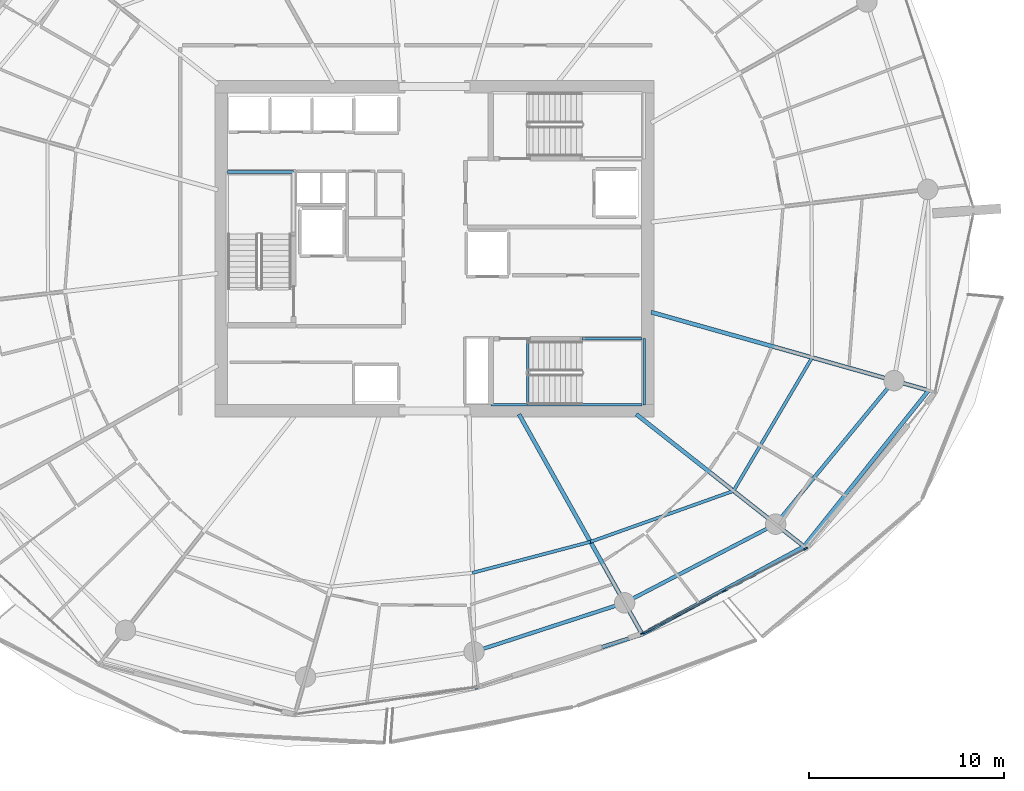
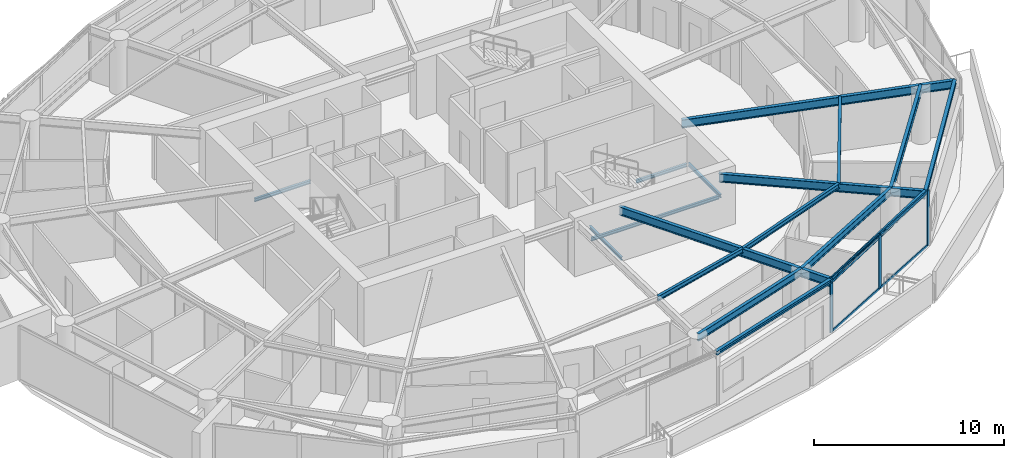
# One storey, part 6 of 21: 17 beams, 7 members, 1 element without a shape of its own.
"""IFC4 building model written with IfcOpenShell, lengths in metres."""

from ifc_helpers import new_model, si_unit, direction, frame, origin, origin_2d, place, context, subcontext, project, spatial, rectangle, i_section, extrude, material, layer, layer_set, material_profile, profile_set, type_object, element, aggregate, save


model = new_model("IFC4")

# Units and contexts
model_context = context("Model", 3, precision=1e-05, world=origin(), true_north=direction((0.0, 1.0)))
body_context = subcontext(model_context, "Body", "Model", "MODEL_VIEW")
ifc_project = project(units=[si_unit("LENGTHUNIT", "METRE"), si_unit("AREAUNIT", "SQUARE_METRE"), si_unit("VOLUMEUNIT", "CUBIC_METRE"), si_unit("PLANEANGLEUNIT", "RADIAN"), si_unit("MASSUNIT", "GRAM", prefix="KILO")], contexts=[model_context])

# Site, building, storey
site_placement = place(None, origin())
site = spatial("IfcSite", under=ifc_project, at=site_placement, CompositionType="ELEMENT")
building_placement = place(site_placement, origin())
building = spatial("IfcBuilding", under=site, at=building_placement, Name="Kazma Halo Residences", CompositionType="ELEMENT")
storey_placement = place(building_placement, frame((0.0, 0.0, 191.550048828125)))
storey = spatial("IfcBuildingStorey", under=building, at=storey_placement, Name="L48", CompositionType="ELEMENT", Elevation=191.550048828125)

# Beams
ifc_material_1 = material(Name="Steel S355", Category="steel")
ifc_material_profile_1 = material_profile(ifc_material_1, i_section(OverallWidth=0.201904296875, OverallDepth=0.2470703125, WebThickness=0.00732421875, FlangeThickness=0.010986328125, FilletRadius=0.011962890625, at=origin_2d()), Name="W250x49.1")
ifc_profile_set_1 = profile_set([ifc_material_profile_1], Name="Steel S355")
beam_type_1 = type_object("IfcBeamType", Name="BM-BAL-CANT", PredefinedType="BEAM", material=ifc_profile_set_1)
beam_1_placement = place(storey_placement, frame((50.48779296875, 19.45068359375, 3.37646484375), z_axis=(0.952538666424, 0.30441762263, 0.0), x_axis=(-0.30441762263, 0.952538666424, 0.0)))
element("IfcBeam", 1, at=beam_1_placement, inside=storey, type_object=beam_type_1, Name="L48 wave-balcony tie beam 12", PredefinedType="BEAM", context=body_context, shape_type="SweptSolid", body=[
    extrude(i_section(OverallWidth=0.201904296875, OverallDepth=0.2470703125, WebThickness=0.00732421875, FlangeThickness=0.010986328125, FilletRadius=0.011962890625, at=origin_2d()), origin(), (0.0, 0.0, 1.0), 9.029541015625),
])
beam_2_placement = place(storey_placement, frame((59.0888671875, 22.199462890625, 3.37646484375), z_axis=(0.878890557257, 0.477023467309, 0.0), x_axis=(-0.477023467309, 0.878890557257, 0.0)))
element("IfcBeam", 2, at=beam_2_placement, inside=storey, type_object=beam_type_1, Name="L48 wave-balcony tie beam 13", PredefinedType="BEAM", context=body_context, shape_type="SweptSolid", body=[
    extrude(i_section(OverallWidth=0.201904296875, OverallDepth=0.2470703125, WebThickness=0.00732421875, FlangeThickness=0.010986328125, FilletRadius=0.011962890625, at=origin_2d()), origin(), (0.0, 0.0, 1.0), 9.452880859375),
])
beam_3_placement = place(storey_placement, frame((67.39697265625, 26.708740234375, 3.37646484375), z_axis=(0.624195724924, 0.781268005864, 0.0), x_axis=(-0.781268005864, 0.624195724924, 0.0)))
element("IfcBeam", 3, at=beam_3_placement, inside=storey, type_object=beam_type_1, Name="L48 wave-balcony tie beam 14", PredefinedType="BEAM", context=body_context, shape_type="SweptSolid", body=[
    extrude(i_section(OverallWidth=0.201904296875, OverallDepth=0.2470703125, WebThickness=0.00732421875, FlangeThickness=0.010986328125, FilletRadius=0.011962890625, at=origin_2d()), origin(), (0.0, 0.0, 1.0), 10.258544921875),
])
ifc_material_profile_2 = material_profile(ifc_material_1, i_section(OverallWidth=0.208984375, OverallDepth=0.532958984375, WebThickness=0.01025390625, FlangeThickness=0.015625, FilletRadius=0.01611328125, at=origin_2d()), Name="W530x92")
ifc_profile_set_2 = profile_set([ifc_material_profile_2], Name="Steel S355")
beam_type_2 = type_object("IfcBeamType", Name="BM-RAD-W530", PredefinedType="BEAM", material=ifc_profile_set_2)
beam_4_placement = place(storey_placement, frame((52.76025390625, 33.5, 3.2333984375), z_axis=(0.488621736368, -0.872495729931, 0.0), x_axis=(0.872495729931, 0.488621736368, 0.0)))
element("IfcBeam", 4, at=beam_4_placement, inside=storey, type_object=beam_type_2, Name="L48 radial floor beam 13", PredefinedType="BEAM", context=body_context, shape_type="SweptSolid", body=[
    extrude(i_section(OverallWidth=0.208984375, OverallDepth=0.532958984375, WebThickness=0.01025390625, FlangeThickness=0.015625, FilletRadius=0.01611328125, at=origin_2d()), origin(), (0.0, 0.0, 1.0), 12.951904296875),
])
beam_5_placement = place(storey_placement, frame((58.7822265625, 33.5, 3.2333984375), z_axis=(0.785319521624, -0.619090662954, 0.0), x_axis=(0.619090662954, 0.785319521624, 0.0)))
element("IfcBeam", 5, at=beam_5_placement, inside=storey, type_object=beam_type_2, Name="L48 radial floor beam 14", PredefinedType="BEAM", context=body_context, shape_type="SweptSolid", body=[
    extrude(i_section(OverallWidth=0.208984375, OverallDepth=0.532958984375, WebThickness=0.01025390625, FlangeThickness=0.015625, FilletRadius=0.01611328125, at=origin_2d()), origin(), (0.0, 0.0, 1.0), 10.9697265625),
])
beam_6_placement = place(storey_placement, frame((59.550048828125, 38.74267578125, 3.2333984375), z_axis=(0.962449896911, -0.271459381741, 0.0), x_axis=(0.271459381741, 0.962449896911, 0.0)))
element("IfcBeam", 6, at=beam_6_placement, inside=storey, type_object=beam_type_2, Name="L48 radial floor beam 15", PredefinedType="BEAM", context=body_context, shape_type="SweptSolid", body=[
    extrude(i_section(OverallWidth=0.208984375, OverallDepth=0.532958984375, WebThickness=0.01025390625, FlangeThickness=0.015625, FilletRadius=0.01611328125, at=origin_2d()), origin(), (0.0, 0.0, 1.0), 14.80615234375),
])
ifc_material_profile_3 = material_profile(ifc_material_1, i_section(OverallWidth=0.1650390625, OverallDepth=0.31005859375, WebThickness=0.005859375, FlangeThickness=0.009765625, FilletRadius=0.011962890625, at=origin_2d()), Name="W310x38.7")
ifc_profile_set_3 = profile_set([ifc_material_profile_3], Name="Steel S355")
beam_type_3 = type_object("IfcBeamType", Name="BM-SEC-W310B", PredefinedType="JOIST", material=ifc_profile_set_3)
beam_7_placement = place(storey_placement, frame((50.366943359375, 25.3515625, 3.344970703125), z_axis=(0.967135034863, 0.254263297273, 0.0), x_axis=(-0.254263297273, 0.967135034863, 0.0)))
element("IfcBeam", 7, at=beam_7_placement, inside=storey, type_object=beam_type_3, Name="L48 circumferential floor joist 12", PredefinedType="JOIST", context=body_context, shape_type="SweptSolid", body=[
    extrude(i_section(OverallWidth=0.1650390625, OverallDepth=0.31005859375, WebThickness=0.005859375, FlangeThickness=0.009765625, FilletRadius=0.011962890625, at=origin_2d()), origin(), (0.0, 0.0, 1.0), 6.27001953125),
])
beam_8_placement = place(storey_placement, frame((56.430908203125, 26.94580078125, 3.344970703125), z_axis=(0.942107492186, 0.335311009612, 0.0), x_axis=(-0.335311009612, 0.942107492186, 0.0)))
element("IfcBeam", 8, at=beam_8_placement, inside=storey, type_object=beam_type_3, Name="L48 circumferential floor joist 13", PredefinedType="JOIST", context=body_context, shape_type="SweptSolid", body=[
    extrude(i_section(OverallWidth=0.1650390625, OverallDepth=0.31005859375, WebThickness=0.005859375, FlangeThickness=0.009765625, FilletRadius=0.011962890625, at=origin_2d()), origin(), (0.0, 0.0, 1.0), 7.79931640625),
])
beam_9_placement = place(storey_placement, frame((63.77880859375, 29.56103515625, 3.344970703125), z_axis=(0.507638586433, 0.861570116453, 0.0), x_axis=(-0.861570116453, 0.507638586433, 0.0)))
element("IfcBeam", 9, at=beam_9_placement, inside=storey, type_object=beam_type_3, Name="L48 circumferential floor joist 14", PredefinedType="JOIST", context=body_context, shape_type="SweptSolid", body=[
    extrude(i_section(OverallWidth=0.1650390625, OverallDepth=0.31005859375, WebThickness=0.005859375, FlangeThickness=0.009765625, FilletRadius=0.011962890625, at=origin_2d()), origin(), (0.0, 0.0, 1.0), 7.951171875),
])
ifc_material_profile_4 = material_profile(ifc_material_1, i_section(OverallWidth=0.18994140625, OverallDepth=0.45703125, WebThickness=0.009033203125, FlangeThickness=0.014404296875, FilletRadius=0.01611328125, at=origin_2d()), Name="W460x74")
ifc_profile_set_4 = profile_set([ifc_material_profile_4], Name="Steel S355")
beam_type_4 = type_object("IfcBeamType", Name="BM-SPN-W460", PredefinedType="BEAM", material=ifc_profile_set_4)
beam_10_placement = place(storey_placement, frame((50.449951171875, 21.30029296875, 3.271484375), z_axis=(0.951048627281, 0.30904127321, 0.0), x_axis=(-0.30904127321, 0.951048627281, 0.0)))
element("IfcBeam", 10, at=beam_10_placement, inside=storey, type_object=beam_type_4, Name="L48 perimeter ring beam 12", PredefinedType="BEAM", context=body_context, shape_type="SweptSolid", body=[
    extrude(i_section(OverallWidth=0.18994140625, OverallDepth=0.45703125, WebThickness=0.009033203125, FlangeThickness=0.014404296875, FilletRadius=0.01611328125, at=origin_2d()), origin(), (0.0, 0.0, 1.0), 8.133056640625),
])
beam_11_placement = place(storey_placement, frame((58.184814453125, 23.813720703125, 3.271484375), z_axis=(0.886961243394, 0.461843861838, 0.0), x_axis=(-0.461843861838, 0.886961243394, 0.0)))
element("IfcBeam", 11, at=beam_11_placement, inside=storey, type_object=beam_type_4, Name="L48 perimeter ring beam 13", PredefinedType="BEAM", context=body_context, shape_type="SweptSolid", body=[
    extrude(i_section(OverallWidth=0.18994140625, OverallDepth=0.45703125, WebThickness=0.009033203125, FlangeThickness=0.014404296875, FilletRadius=0.01611328125, at=origin_2d()), origin(), (0.0, 0.0, 1.0), 8.748046875),
])
beam_12_placement = place(storey_placement, frame((65.944091796875, 27.85400390625, 3.271484375), z_axis=(0.63601715545, 0.771674917289, 0.0), x_axis=(-0.771674917289, 0.63601715545, 0.0)))
element("IfcBeam", 12, at=beam_12_placement, inside=storey, type_object=beam_type_4, Name="L48 perimeter ring beam 14", PredefinedType="BEAM", context=body_context, shape_type="SweptSolid", body=[
    extrude(i_section(OverallWidth=0.18994140625, OverallDepth=0.45703125, WebThickness=0.009033203125, FlangeThickness=0.014404296875, FilletRadius=0.01611328125, at=origin_2d()), origin(), (0.0, 0.0, 1.0), 9.552734375),
])
ifc_material_profile_5 = material_profile(ifc_material_1, i_section(OverallWidth=0.133056640625, OverallDepth=0.20703125, WebThickness=0.005859375, FlangeThickness=0.00830078125, FilletRadius=0.010009765625, at=origin_2d()), Name="W200x26.6")
ifc_profile_set_5 = profile_set([ifc_material_profile_5], Name="Steel S355")
beam_type_5 = type_object("IfcBeamType", Name="BM-TRIM-W200", PredefinedType="BEAM", material=ifc_profile_set_5)
beam_13_placement = place(storey_placement, frame((53.199951171875, 34.0, -0.360107421875), z_axis=(0.0, 1.0, 0.0), x_axis=(-1.0, 0.0, 0.0)))
element("IfcBeam", 13, at=beam_13_placement, inside=storey, type_object=beam_type_5, Name="L48 ST-03 floor landing support beam", PredefinedType="BEAM", context=body_context, shape_type="SweptSolid", body=[
    extrude(i_section(OverallWidth=0.133056640625, OverallDepth=0.20703125, WebThickness=0.005859375, FlangeThickness=0.00830078125, FilletRadius=0.010009765625, at=origin_2d()), origin(), (0.0, 0.0, 1.0), 3.3798828125),
])
beam_14_placement = place(storey_placement, frame((37.780029296875, 45.93994140625, 1.570068359375), z_axis=(1.0, 0.0, 0.0), x_axis=(0.0, 1.0, 0.0)))
element("IfcBeam", 14, at=beam_14_placement, inside=storey, type_object=beam_type_5, Name="L48 ST-01 landing end wall ledger", PredefinedType="BEAM", context=body_context, shape_type="SweptSolid", body=[
    extrude(i_section(OverallWidth=0.133056640625, OverallDepth=0.20703125, WebThickness=0.005859375, FlangeThickness=0.00830078125, FilletRadius=0.010009765625, at=origin_2d()), origin(), (0.0, 0.0, 1.0), 3.39990234375),
])
beam_15_placement = place(storey_placement, frame((51.31005859375, 33.97998046875, 1.570068359375), z_axis=(1.0, 0.0, 0.0), x_axis=(0.0, 1.0, 0.0)))
element("IfcBeam", 15, at=beam_15_placement, inside=storey, type_object=beam_type_5, Name="L48 ST-03 landing south wall ledger", PredefinedType="BEAM", context=body_context, shape_type="SweptSolid", body=[
    extrude(i_section(OverallWidth=0.133056640625, OverallDepth=0.20703125, WebThickness=0.005859375, FlangeThickness=0.00830078125, FilletRadius=0.010009765625, at=origin_2d()), origin(), (0.0, 0.0, 1.0), 7.760009765625),
])
beam_16_placement = place(storey_placement, frame((56.0, 37.3798828125, 1.570068359375), z_axis=(1.0, 0.0, 0.0), x_axis=(0.0, 1.0, 0.0)))
element("IfcBeam", 16, at=beam_16_placement, inside=storey, type_object=beam_type_5, Name="L48 ST-03 landing north wall ledger", PredefinedType="BEAM", context=body_context, shape_type="SweptSolid", body=[
    extrude(i_section(OverallWidth=0.133056640625, OverallDepth=0.20703125, WebThickness=0.005859375, FlangeThickness=0.00830078125, FilletRadius=0.010009765625, at=origin_2d()), origin(), (0.0, 0.0, 1.0), 3.070068359375),
])
beam_17_placement = place(storey_placement, frame((59.18994140625, 33.97998046875, 1.570068359375), z_axis=(0.0, 1.0, 0.0), x_axis=(-1.0, 0.0, 0.0)))
element("IfcBeam", 17, at=beam_17_placement, inside=storey, type_object=beam_type_5, Name="L48 ST-03 landing end wall ledger", PredefinedType="BEAM", context=body_context, shape_type="SweptSolid", body=[
    extrude(i_section(OverallWidth=0.133056640625, OverallDepth=0.20703125, WebThickness=0.005859375, FlangeThickness=0.00830078125, FilletRadius=0.010009765625, at=origin_2d()), origin(), (0.0, 0.0, 1.0), 3.39990234375),
])

# Curtain wall, members
ifc_material_2 = material(Name="Aluminium AW-6063 T6 and Triple-Silver Low-E Glass", Category="aluminium")
ifc_layer = layer(ifc_material_2, 0.219970703125)
ifc_layer_set = layer_set([ifc_layer], Name="Aluminium AW-6063 T6 and Triple-Silver Low-E Glass")
curtain_wall_type = type_object("IfcCurtainWallType", Name="CW-SYS-4", PredefinedType="NOTDEFINED", material=ifc_layer_set)
curtain_wall_placement = place(storey_placement, origin())
curtain_wall = element("IfcCurtainWall", 18, at=curtain_wall_placement, inside=storey, type_object=curtain_wall_type, Name="L48 unitised curtain wall B13", PredefinedType="NOTDEFINED")
ifc_material_3 = material(Name="Aluminium AW-6063 T6", Category="aluminium")
ifc_material_profile_6 = material_profile(ifc_material_3, rectangle(XDim=0.074951171875, YDim=0.219970703125, at=origin_2d()), Name="CWM-75x220")
ifc_profile_set_6 = profile_set([ifc_material_profile_6], Name="Aluminium AW-6063 T6")
member_type_1 = type_object("IfcMemberType", Name="CW-SYS-4-MUL", PredefinedType="MULLION", material=ifc_profile_set_6)
member_1_placement = place(storey_placement, frame((59.105712890625, 22.24609375, 0.0), z_axis=(0.0, 0.0, 1.0), x_axis=(-0.460873851097, 0.887465657575, 0.0)))
member_1 = element("IfcMember", 19, at=member_1_placement, type_object=member_type_1, Name="CWS-4 mullion 1", PredefinedType="MULLION", context=body_context, shape_type="SweptSolid", body=[
    extrude(rectangle(XDim=0.074951171875, YDim=0.219970703125, at=origin_2d()), origin(), (0.0, 0.0, 1.0), 3.5),
])
member_2_placement = place(storey_placement, frame((63.294677734375, 24.421630859375, 0.0), z_axis=(0.0, 0.0, 1.0), x_axis=(-0.460873851097, 0.887465657575, 0.0)))
member_2 = element("IfcMember", 20, at=member_2_placement, type_object=member_type_1, Name="CWS-4 mullion 2", PredefinedType="MULLION", context=body_context, shape_type="SweptSolid", body=[
    extrude(rectangle(XDim=0.074951171875, YDim=0.219970703125, at=origin_2d()), origin(), (0.0, 0.0, 1.0), 3.5),
])
member_3_placement = place(storey_placement, frame((67.4833984375, 26.596923828125, 0.0), z_axis=(0.0, 0.0, 1.0), x_axis=(-0.460873851097, 0.887465657575, 0.0)))
member_3 = element("IfcMember", 21, at=member_3_placement, type_object=member_type_1, Name="CWS-4 mullion 3", PredefinedType="MULLION", context=body_context, shape_type="SweptSolid", body=[
    extrude(rectangle(XDim=0.074951171875, YDim=0.219970703125, at=origin_2d()), origin(), (0.0, 0.0, 1.0), 3.5),
])
ifc_material_profile_7 = material_profile(ifc_material_3, rectangle(XDim=0.074951171875, YDim=0.1650390625, at=origin_2d()), Name="CWT-75x165")
ifc_profile_set_7 = profile_set([ifc_material_profile_7], Name="Aluminium AW-6063 T6")
member_type_2 = type_object("IfcMemberType", Name="CW-SYS-4-TRN", PredefinedType="USERDEFINED", material=ifc_profile_set_7)
member_4_placement = place(storey_placement, frame((59.138916015625, 22.263427734375, 0.037353515625), z_axis=(0.887457630519, 0.460889307789, 0.0), x_axis=(-0.460889307789, 0.887457630519, 0.0)))
member_4 = element("IfcMember", 22, at=member_4_placement, type_object=member_type_2, Name="CWS-4 transom 1.1", ObjectType="TRANSOM", PredefinedType="USERDEFINED", context=body_context, shape_type="SweptSolid", body=[
    extrude(rectangle(XDim=0.074951171875, YDim=0.1650390625, at=origin_2d()), origin(), (0.0, 0.0, 1.0), 4.64501953125),
])
member_5_placement = place(storey_placement, frame((59.138916015625, 22.263427734375, 3.46240234375), z_axis=(0.887457630519, 0.460889307789, 0.0), x_axis=(-0.460889307789, 0.887457630519, 0.0)))
member_5 = element("IfcMember", 23, at=member_5_placement, type_object=member_type_2, Name="CWS-4 transom 1.2", ObjectType="TRANSOM", PredefinedType="USERDEFINED", context=body_context, shape_type="SweptSolid", body=[
    extrude(rectangle(XDim=0.074951171875, YDim=0.1650390625, at=origin_2d()), origin(), (0.0, 0.0, 1.0), 4.64501953125),
])
member_6_placement = place(storey_placement, frame((63.327880859375, 24.438720703125, 0.037353515625), z_axis=(0.887457630519, 0.460889307789, 0.0), x_axis=(-0.460889307789, 0.887457630519, 0.0)))
member_6 = element("IfcMember", 24, at=member_6_placement, type_object=member_type_2, Name="CWS-4 transom 2.1", ObjectType="TRANSOM", PredefinedType="USERDEFINED", context=body_context, shape_type="SweptSolid", body=[
    extrude(rectangle(XDim=0.074951171875, YDim=0.1650390625, at=origin_2d()), origin(), (0.0, 0.0, 1.0), 4.64501953125),
])
member_7_placement = place(storey_placement, frame((63.327880859375, 24.438720703125, 3.46240234375), z_axis=(0.887457630519, 0.460889307789, 0.0), x_axis=(-0.460889307789, 0.887457630519, 0.0)))
member_7 = element("IfcMember", 25, at=member_7_placement, type_object=member_type_2, Name="CWS-4 transom 2.2", ObjectType="TRANSOM", PredefinedType="USERDEFINED", context=body_context, shape_type="SweptSolid", body=[
    extrude(rectangle(XDim=0.074951171875, YDim=0.1650390625, at=origin_2d()), origin(), (0.0, 0.0, 1.0), 4.64501953125),
])
aggregate(curtain_wall, [member_1, member_2, member_3, member_4, member_5, member_6, member_7])

save(model, "model.ifc")
